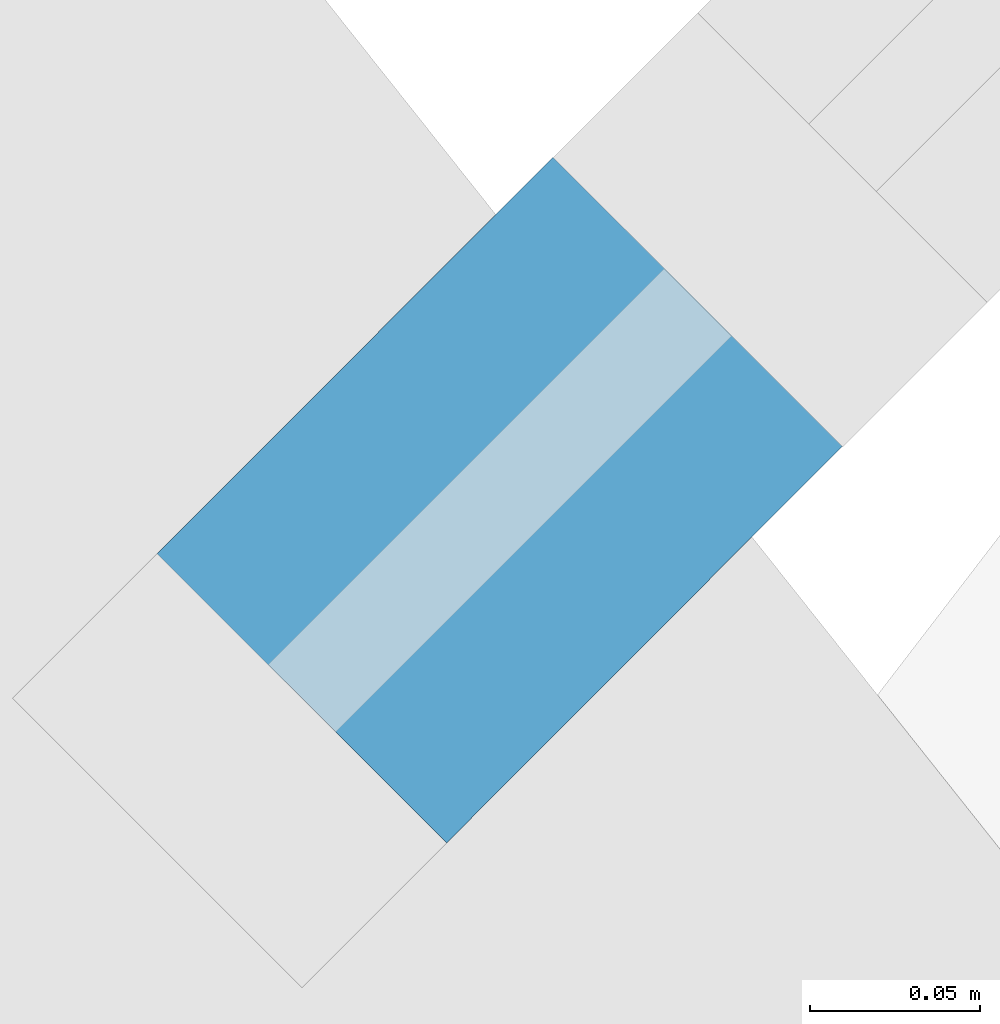
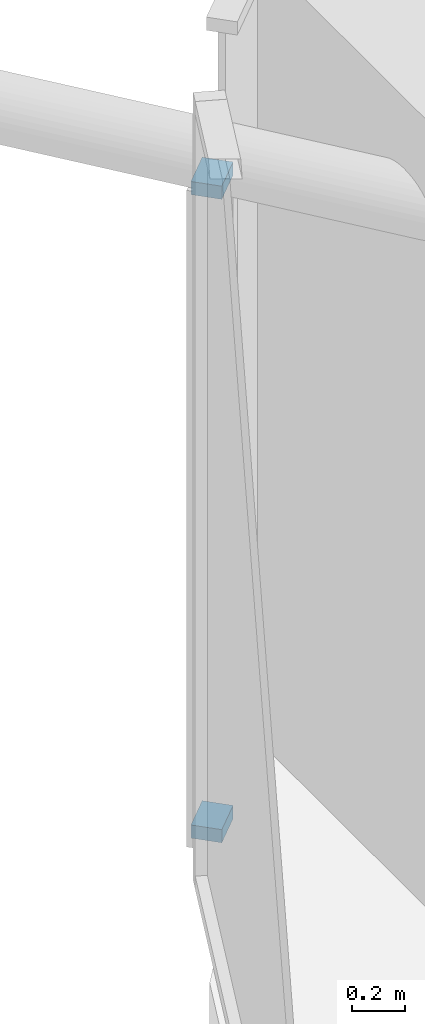
# One storey, part 18 of 34: 2 members, 1 element without a shape of its own.
"""IFC4 building model written with IfcOpenShell, lengths in metres."""

from ifc_helpers import new_model, si_unit, direction, frame, origin, origin_2d, place, context, subcontext, project, spatial, rectangle, extrude, material, layer, layer_set, material_profile, profile_set, type_object, element, aggregate, save


model = new_model("IFC4")

# Units and contexts
model_context = context("Model", 3, precision=1e-05, world=origin(), true_north=direction((0.0, 1.0)))
body_context = subcontext(model_context, "Body", "Model", "MODEL_VIEW")
ifc_project = project(units=[si_unit("LENGTHUNIT", "METRE"), si_unit("AREAUNIT", "SQUARE_METRE"), si_unit("VOLUMEUNIT", "CUBIC_METRE"), si_unit("PLANEANGLEUNIT", "RADIAN"), si_unit("MASSUNIT", "GRAM", prefix="KILO")], contexts=[model_context])

# Site, building, storey
site_placement = place(None, origin())
site = spatial("IfcSite", under=ifc_project, at=site_placement, CompositionType="ELEMENT")
building_placement = place(site_placement, origin())
building = spatial("IfcBuilding", under=site, at=building_placement, Name="Marenta Gate Hotel Tower", CompositionType="ELEMENT")
storey_placement = place(building_placement, frame((0.0, 0.0, 166.10009765625)))
storey = spatial("IfcBuildingStorey", under=building, at=storey_placement, Name="L39", CompositionType="ELEMENT", Elevation=166.10009765625)

# Curtain wall, members
ifc_material_1 = material(Name="Tinted insulated glass in bronze anodised frame", Category="glass")
ifc_layer = layer(ifc_material_1, 0.1201171875)
ifc_layer_set = layer_set([ifc_layer], Name="Tinted insulated glass in bronze anodised frame")
curtain_wall_type = type_object("IfcCurtainWallType", Name="Tower unitised curtain wall CW1", PredefinedType="NOTDEFINED", material=ifc_layer_set)
curtain_wall_placement = place(storey_placement, origin())
curtain_wall = element("IfcCurtainWall", 1, at=curtain_wall_placement, inside=storey, type_object=curtain_wall_type, Name="CW1 run G02", PredefinedType="NOTDEFINED")
ifc_material_2 = material(Name="Bronze anodised aluminium", Category="aluminium")
ifc_material_profile = material_profile(ifc_material_2, rectangle(XDim=0.1201171875, YDim=0.06005859375, at=origin_2d()), Name="Transom CW1 60x120 bronze anodised aluminium")
ifc_profile_set = profile_set([ifc_material_profile], Name="Bronze anodised aluminium")
member_type = type_object("IfcMemberType", Name="Transom CW1 60x120 bronze anodised aluminium", PredefinedType="USERDEFINED", material=ifc_profile_set)
member_1_placement = place(storey_placement, frame((-26.013671875, 25.977294921875, 0.02978515625), z_axis=(-0.706364412476, -0.707848371325, 0.0), x_axis=(0.707848371325, -0.706364412476, 0.0)))
member_1 = element("IfcMember", 2, at=member_1_placement, type_object=member_type, Name="CW1 transom 1.1", ObjectType="TRANSOM", PredefinedType="USERDEFINED", context=body_context, shape_type="SweptSolid", body=[
    extrude(rectangle(XDim=0.1201171875, YDim=0.06005859375, at=origin_2d()), origin(), (0.0, 0.0, 1.0), 0.16455078125),
])
member_2_placement = place(storey_placement, frame((-26.013671875, 25.977294921875, 2.970458984375), z_axis=(-0.706364412476, -0.707848371325, 0.0), x_axis=(0.707848371325, -0.706364412476, 0.0)))
member_2 = element("IfcMember", 3, at=member_2_placement, type_object=member_type, Name="CW1 transom 1.2", ObjectType="TRANSOM", PredefinedType="USERDEFINED", context=body_context, shape_type="SweptSolid", body=[
    extrude(rectangle(XDim=0.1201171875, YDim=0.06005859375, at=origin_2d()), origin(), (0.0, 0.0, 1.0), 0.16455078125),
])
aggregate(curtain_wall, [member_1, member_2])

save(model, "model.ifc")
